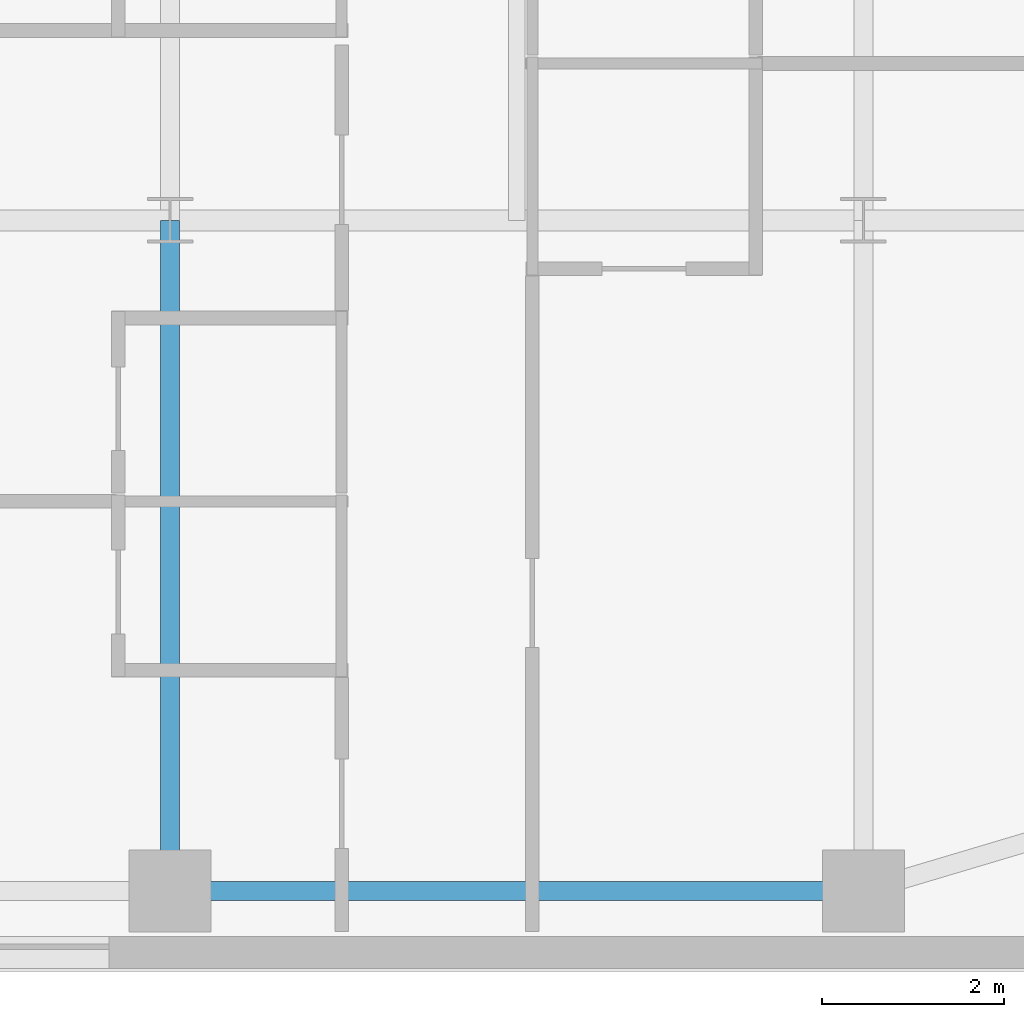
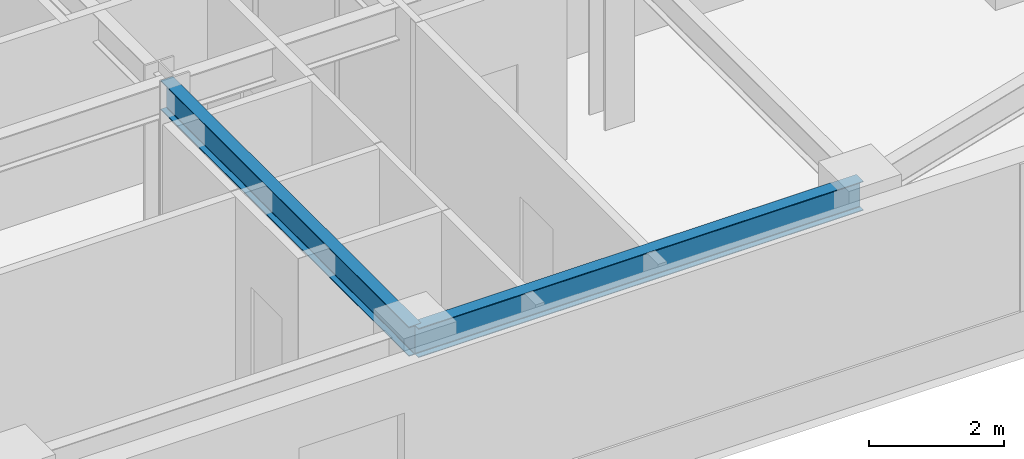
# One storey, part 8 of 24: 2 beams.
"""IFC4 building model written with IfcOpenShell, lengths in metres."""

import ifcopenshell
import ifcopenshell.guid

model = None  # the IFC model being written
_history = None  # IfcOwnerHistory: only IFC2X3 demands one
_inside = {}  # id of a spatial element -> (the spatial element, [elements in it])
_under = {}  # id of a project, library or spatial element -> (it, [spatial elements below it])
_declared = {}  # id of a project -> (the project, [libraries it declares])
_typed = {}  # id of a type object -> (the type object, [elements of that type])
_made_of = {}  # id of a material, layer set ... -> (it, [elements and type objects made of it])


def new_model(schema):
    """Start an empty IFC model of exactly this schema.

    Asked for "IFC4X3", IfcOpenShell would pick the latest addendum, in which some entities
    have other attributes; the version numbers below select the first issue.
    IFC2X3 requires an IfcOwnerHistory on every rooted entity: one is made here for all.
    """
    global model, _history
    if schema == "IFC4X3":
        model = ifcopenshell.file(schema_version=(4, 3, 0, 0))
    else:
        model = ifcopenshell.file(schema=schema)
    _inside.clear()
    _under.clear()
    _declared.clear()
    _typed.clear()
    _made_of.clear()
    _history = None
    if model.schema == "IFC2X3":
        org = make("IfcOrganization", Name="unknown")
        user = make(
            "IfcPersonAndOrganization",
            ThePerson=make("IfcPerson", FamilyName="unknown"),
            TheOrganization=org,
        )
        app = make(
            "IfcApplication",
            ApplicationDeveloper=org,
            Version="unknown",
            ApplicationFullName="unknown",
            ApplicationIdentifier="unknown",
        )
        _history = make(
            "IfcOwnerHistory",
            OwningUser=user,
            OwningApplication=app,
            ChangeAction="ADDED",
            CreationDate=0,
        )
    return model


def make(cls, **values):
    """One entity of the class cls with the attributes given. An attribute that is None is left unset."""
    return model.create_entity(
        cls, **{name: value for name, value in values.items() if value is not None}
    )


def rooted(cls, **values):
    """An entity with a GlobalId (a new one), such as an element, a storey or a relation."""
    return make(cls, GlobalId=ifcopenshell.guid.new(), OwnerHistory=_history, **values)


def si_unit(unit_type, name, prefix=None):
    """IfcSIUnit, for example si_unit("LENGTHUNIT", "METRE", prefix="MILLI")."""
    return make("IfcSIUnit", UnitType=unit_type, Prefix=prefix, Name=name)


def assignment(units):
    """IfcUnitAssignment: the units of a project."""
    return None if units is None else make("IfcUnitAssignment", Units=units)


def point(xyz):
    """IfcCartesianPoint."""
    return None if xyz is None else make("IfcCartesianPoint", Coordinates=xyz)


def direction(xyz):
    """IfcDirection."""
    return None if xyz is None else make("IfcDirection", DirectionRatios=xyz)


def frame(location, z_axis=None, x_axis=None):
    """IfcAxis2Placement3D, a coordinate frame: its origin and axes. An axis left out is left unset."""
    return make(
        "IfcAxis2Placement3D",
        Location=point(location),
        Axis=direction(z_axis),
        RefDirection=direction(x_axis),
    )


def frame_2d(location, x_axis=None):
    """IfcAxis2Placement2D, a coordinate frame in the plane: its origin and x axis."""
    return make(
        "IfcAxis2Placement2D", Location=point(location), RefDirection=direction(x_axis)
    )


def origin():
    """The frame at (0, 0, 0) with its axes left unset."""
    return frame((0.0, 0.0, 0.0))


def origin_2d():
    """The frame at (0, 0) in the plane with its x axis left unset."""
    return frame_2d((0.0, 0.0))


def place(relative_to, where):
    """IfcLocalPlacement: puts the frame where relative to a parent placement (None: the world)."""
    return make(
        "IfcLocalPlacement", PlacementRelTo=relative_to, RelativePlacement=where
    )


def context(
    kind, dimensions, precision=None, world=None, true_north=None, identifier=None
):
    """IfcGeometricRepresentationContext, for example the 3D "Model" context."""
    return make(
        "IfcGeometricRepresentationContext",
        ContextIdentifier=identifier,
        ContextType=kind,
        CoordinateSpaceDimension=dimensions,
        Precision=precision,
        WorldCoordinateSystem=world,
        TrueNorth=true_north,
    )


def subcontext(parent, identifier, kind, view, scale=None):
    """IfcGeometricRepresentationSubContext, for example "Body" below "Model"."""
    return make(
        "IfcGeometricRepresentationSubContext",
        ContextIdentifier=identifier,
        ContextType=kind,
        ParentContext=parent,
        TargetScale=scale,
        TargetView=view,
    )


def project(units=None, contexts=None):
    """IfcProject with its units and contexts."""
    return rooted(
        "IfcProject",
        Name="project",
        RepresentationContexts=contexts,
        UnitsInContext=assignment(units),
    )


def spatial(cls, under=None, at=None, **own):
    """A site, building, storey or space (cls), placed at a placement, below another one or the project."""
    s = rooted(cls, ObjectPlacement=at, **own)
    if under is not None:
        _under.setdefault(under.id(), (under, []))[1].append(s)
    return s


def profile(cls, at=None, kind="AREA", **sizes):
    """A parametric profile (cls). Its sizes go by their IFC names, for example OverallWidth=200.0."""
    return make(cls, ProfileType=kind, Position=at, **sizes)


def i_section(**sizes):
    """IfcIShapeProfileDef."""
    return profile("IfcIShapeProfileDef", **sizes)


def extrude(swept, where, along, depth):
    """IfcExtrudedAreaSolid: the profile swept, set in the frame where, extruded along a direction by depth."""
    return make(
        "IfcExtrudedAreaSolid",
        SweptArea=swept,
        Position=where,
        ExtrudedDirection=direction(along),
        Depth=depth,
    )


def shape(context_of_items, identifier, shape_type, items):
    """IfcShapeRepresentation: the items that make up one representation, for example the "Body"."""
    return make(
        "IfcShapeRepresentation",
        ContextOfItems=context_of_items,
        RepresentationIdentifier=identifier,
        RepresentationType=shape_type,
        Items=items,
    )


def source(mapping_origin, context_of_items, identifier, shape_type, items):
    """IfcRepresentationMap: a shape defined once, which mapped items show again and again."""
    return make(
        "IfcRepresentationMap",
        MappingOrigin=mapping_origin,
        MappedRepresentation=shape(context_of_items, identifier, shape_type, items),
    )


def transform(
    local_origin,
    x_axis=None,
    y_axis=None,
    z_axis=None,
    scale=None,
    scale2=None,
    scale3=None,
    uniform=True,
):
    """IfcCartesianTransformationOperator3D, or its non-uniform kind. x_axis, y_axis, z_axis: its Axis1, 2, 3."""
    if uniform:
        return make(
            "IfcCartesianTransformationOperator3D",
            Axis1=direction(x_axis),
            Axis2=direction(y_axis),
            LocalOrigin=point(local_origin),
            Scale=scale,
            Axis3=direction(z_axis),
        )
    return make(
        "IfcCartesianTransformationOperator3DnonUniform",
        Axis1=direction(x_axis),
        Axis2=direction(y_axis),
        LocalOrigin=point(local_origin),
        Scale=scale,
        Axis3=direction(z_axis),
        Scale2=scale2,
        Scale3=scale3,
    )


def mapped(mapping_source, mapping_target):
    """IfcMappedItem: shows the shape of a source again, moved by a transform."""
    return make(
        "IfcMappedItem", MappingSource=mapping_source, MappingTarget=mapping_target
    )


def material(Name=None, Category=None):
    """IfcMaterial."""
    return make("IfcMaterial", Name=Name, Category=Category)


def material_profile(
    of_material, cross_section, Name=None, Category=None, Priority=None
):
    """IfcMaterialProfile: a cross section and its material."""
    return make(
        "IfcMaterialProfile",
        Name=Name,
        Material=of_material,
        Profile=cross_section,
        Priority=Priority,
        Category=Category,
    )


def profile_set(profiles, Name=None, composite=None):
    """IfcMaterialProfileSet."""
    return make(
        "IfcMaterialProfileSet",
        Name=Name,
        MaterialProfiles=profiles,
        CompositeProfile=composite,
    )


def made_of(thing, what):
    """Note that an element or type object is made of a material, layer set ...; save() writes the relation."""
    if what is not None:
        _made_of.setdefault(what.id(), (what, []))[1].append(thing)
    return thing


def type_object(cls, material=None, **own):
    """A type object (cls), such as IfcWallType, which elements share."""
    return made_of(rooted(cls, **own), material)


def type_shapes(of_type, sources):
    """Give a type object the sources (RepresentationMaps) that its elements show as mapped items."""
    of_type.RepresentationMaps = sources


def element(
    cls,
    number,
    at=None,
    inside=None,
    cuts=None,
    type_object=None,
    material=None,
    context=None,
    identifier="Body",
    shape_type=None,
    held_by="IfcProductDefinitionShape",
    body=None,
    shapes=None,
    **own,
):
    """One element of the class cls, such as IfcWall. Its Tag is "e" and its number.

    at: its placement. inside: the storey or other place that contains it. cuts: it is an
    opening in that element (IfcRelVoidsElement). A single representation is given by context,
    identifier, shape_type and body (its items); several are given by shapes. held_by: the class
    of the entity that holds the representations. save() writes the other relations.
    """
    e = rooted(cls, Tag="e%d" % number, ObjectPlacement=at, **own)
    if body is not None:
        shapes = [shape(context, identifier, shape_type, body)]
    if shapes is not None:
        e.Representation = make(held_by, Representations=shapes)
    if inside is not None:
        _inside.setdefault(inside.id(), (inside, []))[1].append(e)
    if cuts is not None:
        rooted(
            "IfcRelVoidsElement", RelatingBuildingElement=cuts, RelatedOpeningElement=e
        )
    if type_object is not None:
        _typed.setdefault(type_object.id(), (type_object, []))[1].append(e)
    return made_of(e, material)


def aggregate(whole, parts):
    """IfcRelAggregates: a whole, such as a stair, and the parts it consists of."""
    return rooted("IfcRelAggregates", RelatingObject=whole, RelatedObjects=parts)


def save(model, path):
    """Write the relations noted so far, then the file.

    IfcRelAggregates (storeys below a building ...), IfcRelContainedInSpatialStructure (elements
    in a storey), IfcRelDefinesByType, IfcRelAssociatesMaterial and IfcRelDeclares: one each for
    every whole, place, type object, material and project.
    """
    for whole, parts in _under.values():
        aggregate(whole, parts)
    for where, things in _inside.values():
        rooted(
            "IfcRelContainedInSpatialStructure",
            RelatedElements=things,
            RelatingStructure=where,
        )
    for kind, things in _typed.values():
        rooted("IfcRelDefinesByType", RelatedObjects=things, RelatingType=kind)
    for what, things in _made_of.values():
        rooted("IfcRelAssociatesMaterial", RelatedObjects=things, RelatingMaterial=what)
    for by, libraries in _declared.values():
        rooted("IfcRelDeclares", RelatingContext=by, RelatedDefinitions=libraries)
    model.write(path)


model = new_model("IFC4")

# Units and contexts
model_context = context("Model", 3, precision=1e-05, world=origin(), true_north=direction((0.0, 1.0)))
body_context = subcontext(model_context, "Body", "Model", "MODEL_VIEW")
ifc_project = project(units=[si_unit("LENGTHUNIT", "METRE"), si_unit("AREAUNIT", "SQUARE_METRE"), si_unit("VOLUMEUNIT", "CUBIC_METRE"), si_unit("PLANEANGLEUNIT", "RADIAN"), si_unit("MASSUNIT", "GRAM", prefix="KILO")], contexts=[model_context])

# Site, building, storey
site_placement = place(None, origin())
site = spatial("IfcSite", under=ifc_project, at=site_placement, CompositionType="ELEMENT")
building_placement = place(site_placement, origin())
building = spatial("IfcBuilding", under=site, at=building_placement, Name="Tolvann Quenvar Hotel", CompositionType="ELEMENT")
storey_placement = place(building_placement, frame((0.0, 0.0, 81.699951171875)))
storey = spatial("IfcBuildingStorey", under=building, at=storey_placement, Name="L20", CompositionType="ELEMENT", Elevation=81.699951171875)

# Beams
ifc_material = material(Name="Steel Grade 350", Category="steel")
ifc_material_profile_1 = material_profile(ifc_material, i_section(OverallWidth=0.208984375, OverallDepth=0.528076171875, WebThickness=0.009521484375, FlangeThickness=0.01318359375, FilletRadius=0.013916015625, at=origin_2d()), Name="530UB82")
ifc_profile_set_1 = profile_set([ifc_material_profile_1], Name="Steel Grade 350")
beam_type_1 = type_object("IfcBeamType", Name="BM_SPAND_530UB82", PredefinedType="SPANDREL", material=ifc_profile_set_1)
shared_shape_1 = source(origin(), body_context, "Body", "SweptSolid", [
    extrude(i_section(OverallWidth=0.208984375, OverallDepth=0.528076171875, WebThickness=0.009521484375, FlangeThickness=0.01318359375, FilletRadius=0.013916015625, at=origin_2d()), origin(), (0.0, 0.0, 1.0), 7.599853515625),
])
type_shapes(beam_type_1, [shared_shape_1])
beam_1_placement = place(storey_placement, frame((41.800048828125, 0.85009765625, 3.10595703125), z_axis=(1.0, 0.0, 0.0), x_axis=(0.0, 1.0, 0.0)))
element("IfcBeam", 1, at=beam_1_placement, inside=storey, type_object=beam_type_1, Name="BM-L20-EW-2-H2-I2", PredefinedType="SPANDREL", context=body_context, shape_type="MappedRepresentation", body=[
    mapped(shared_shape_1, transform((0.0, 0.0, 0.0), x_axis=(1.0, 0.0, 0.0), y_axis=(0.0, 1.0, 0.0), z_axis=(0.0, 0.0, 1.0), scale=1.0)),
])
ifc_material_profile_2 = material_profile(ifc_material, i_section(OverallWidth=0.208984375, OverallDepth=0.532958984375, WebThickness=0.01025390625, FlangeThickness=0.015625, FilletRadius=0.013916015625, at=origin_2d()), Name="530UB92")
ifc_profile_set_2 = profile_set([ifc_material_profile_2], Name="Steel Grade 350")
beam_type_2 = type_object("IfcBeamType", Name="BM_GIRD_530UB92", PredefinedType="BEAM", material=ifc_profile_set_2)
shared_shape_2 = source(origin(), body_context, "Body", "SweptSolid", [
    extrude(i_section(OverallWidth=0.208984375, OverallDepth=0.532958984375, WebThickness=0.01025390625, FlangeThickness=0.015625, FilletRadius=0.013916015625, at=origin_2d()), origin(), (0.0, 0.0, 1.0), 7.349853515625),
])
type_shapes(beam_type_2, [shared_shape_2])
beam_2_placement = place(storey_placement, frame((41.800048828125, 0.85009765625, 3.103515625), z_axis=(0.0, 1.0, 0.0), x_axis=(-1.0, 0.0, 0.0)))
element("IfcBeam", 2, at=beam_2_placement, inside=storey, type_object=beam_type_2, Name="BM-L20-NS-H2-H3", PredefinedType="BEAM", context=body_context, shape_type="MappedRepresentation", body=[
    mapped(shared_shape_2, transform((0.0, 0.0, 0.0), x_axis=(1.0, 0.0, 0.0), y_axis=(0.0, 1.0, 0.0), z_axis=(0.0, 0.0, 1.0), scale=1.0)),
])

save(model, "model.ifc")
